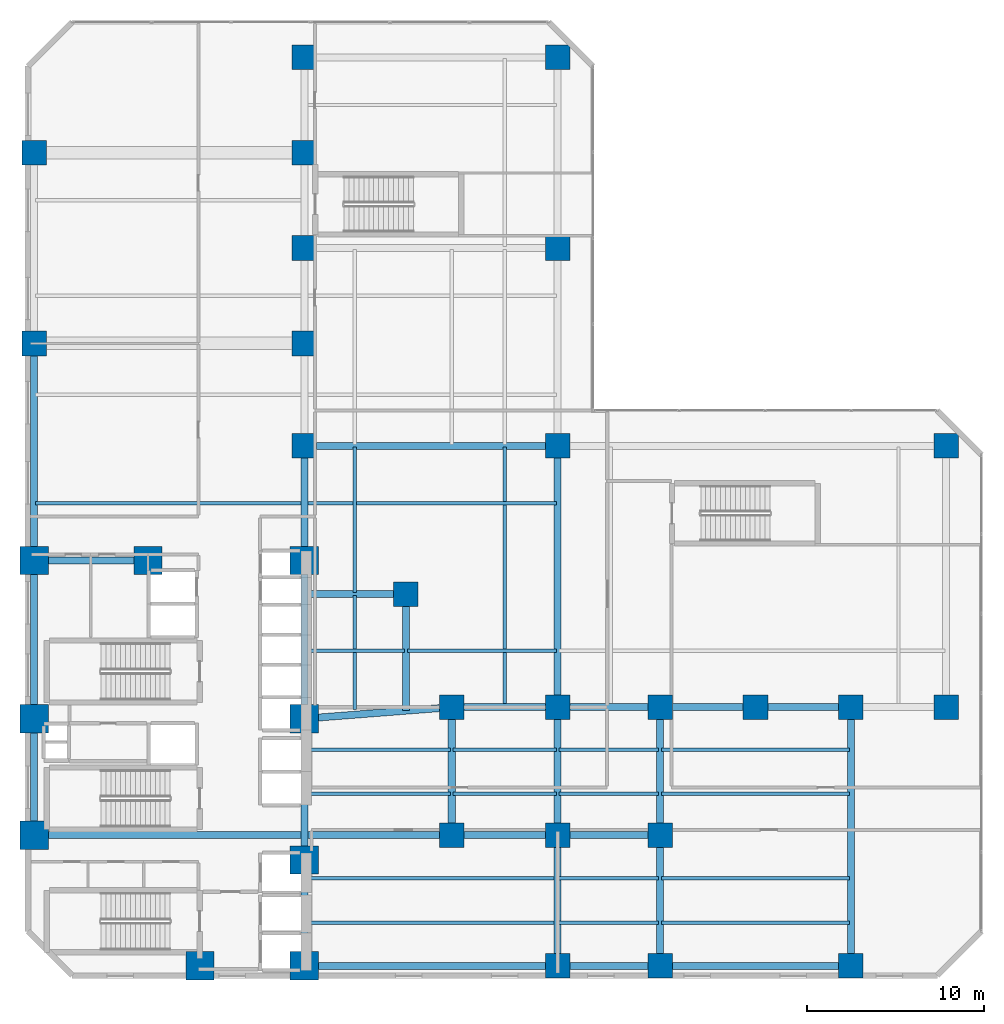
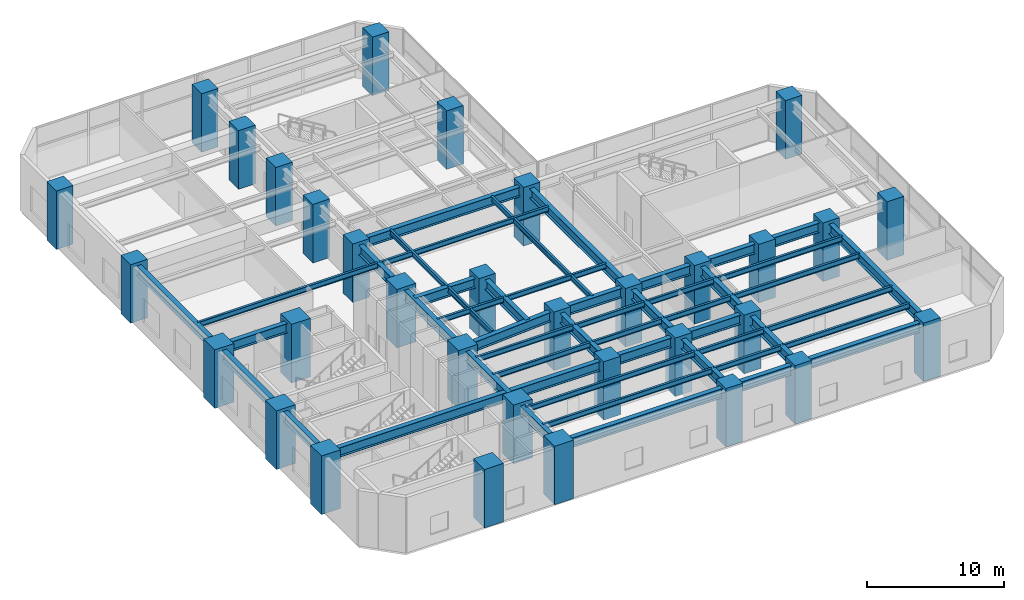
# One storey, part 1 of 22: 50 beams, 33 columns.
"""IFC4 building model written with IfcOpenShell, lengths in metres."""

from ifc_helpers import new_model, si_unit, direction, frame, origin, origin_2d, place, context, subcontext, project, spatial, rectangle, i_section, extrude, material, material_profile, profile_set, type_object, element, save


model = new_model("IFC4")

# Units and contexts
model_context = context("Model", 3, precision=1e-05, world=origin(), true_north=direction((0.0, 1.0)))
body_context = subcontext(model_context, "Body", "Model", "MODEL_VIEW")
ifc_project = project(units=[si_unit("LENGTHUNIT", "METRE"), si_unit("AREAUNIT", "SQUARE_METRE"), si_unit("VOLUMEUNIT", "CUBIC_METRE"), si_unit("PLANEANGLEUNIT", "RADIAN"), si_unit("MASSUNIT", "GRAM", prefix="KILO")], contexts=[model_context])

# Site, building, storey
site_placement = place(None, origin())
site = spatial("IfcSite", under=ifc_project, at=site_placement, CompositionType="ELEMENT")
building_placement = place(site_placement, origin())
building = spatial("IfcBuilding", under=site, at=building_placement, Name="Mawjaban Terraces University", CompositionType="ELEMENT")
storey_placement = place(building_placement, frame((0.0, 0.0, 5.199951171875)))
storey = spatial("IfcBuildingStorey", under=building, at=storey_placement, Name="L01", CompositionType="ELEMENT", Elevation=5.199951171875)

# Columns
ifc_material_1 = material(Name="Concrete C70/85", Category="concrete")
ifc_material_profile_1 = material_profile(ifc_material_1, rectangle(XDim=1.39990234375, YDim=1.39990234375, at=origin_2d()), Name="RC1400X1400")
ifc_profile_set_1 = profile_set([ifc_material_profile_1], Name="Concrete C70/85")
column_type_1 = type_object("IfcColumnType", Name="Col_RC1400X1400", PredefinedType="COLUMN", material=ifc_profile_set_1)
for number, where, z_axis, x_axis, name in (
    (1, (46.0, 7.949951171875, 0.0), (0.0, 0.0, 1.0), (1.0, 0.0, 0.0), "L01 Column TE-460-080"),
    (2, (46.0, 15.199951171875, 0.0), (0.0, 0.0, 1.0), (1.0, 0.0, 0.0), "L01 Column TE-460-152"),
    (3, (52.0, 0.550048828125, 0.0), (0.0, 0.0, 1.0), (1.0, 0.0, 0.0), "L01 Column TE-520-005"),
    (4, (52.0, 7.949951171875, 0.0), (0.0, 0.0, 1.0), (1.0, 0.0, 0.0), "L01 Column TE-520-080"),
    (5, (52.0, 15.199951171875, 0.0), (0.0, 0.0, 1.0), (1.0, 0.0, 0.0), "L01 Column TE-520-152"),
    (6, (57.800048828125, 0.550048828125, 0.0), (0.0, 0.0, 1.0), (1.0, 0.0, 0.0), "L01 Column TE-578-005"),
    (7, (57.800048828125, 7.949951171875, 0.0), (0.0, 0.0, 1.0), (1.0, 0.0, 0.0), "L01 Column TE-578-080"),
    (8, (57.800048828125, 15.199951171875, 0.0), (0.0, 0.0, 1.0), (1.0, 0.0, 0.0), "L01 Column TE-578-152"),
    (9, (63.199951171875, 15.199951171875, 0.0), (0.0, 0.0, 1.0), (1.0, 0.0, 0.0), "L01 Column TE-632-152"),
    (10, (68.60009765625, 0.550048828125, 0.0), (0.0, 0.0, 1.0), (1.0, 0.0, 0.0), "L01 Column TE-686-005"),
    (11, (68.60009765625, 15.199951171875, 0.0), (0.0, 0.0, 1.0), (1.0, 0.0, 0.0), "L01 Column TE-686-152"),
    (12, (74.0, 15.199951171875, 0.0), (0.0, 0.0, 1.0), (1.0, 0.0, 0.0), "L01 Column TE-740-152"),
    (13, (37.64990234375, 30.0, 0.0), (0.0, 0.0, 1.0), (1.0, 0.0, 0.0), "L01 Column TN-376-300"),
    (14, (22.35009765625, 35.800048828125, 0.0), (0.0, 0.0, 1.0), (1.0, 0.0, 0.0), "L01 Column TN-223-358"),
    (15, (37.64990234375, 35.800048828125, 0.0), (0.0, 0.0, 1.0), (1.0, 0.0, 0.0), "L01 Column TN-376-358"),
    (16, (37.64990234375, 41.199951171875, 0.0), (0.0, 0.0, 1.0), (1.0, 0.0, 0.0), "L01 Column TN-376-412"),
    (17, (22.35009765625, 46.60009765625, 0.0), (0.0, 0.0, 1.0), (1.0, 0.0, 0.0), "L01 Column TN-223-466"),
    (18, (37.64990234375, 46.60009765625, 0.0), (0.0, 0.0, 1.0), (1.0, 0.0, 0.0), "L01 Column TN-376-466"),
    (19, (37.64990234375, 52.0, 0.0), (0.0, 0.0, 1.0), (1.0, 0.0, 0.0), "L01 Column TN-376-520"),
    (20, (43.39990234375, 21.60009765625, 0.0), (0.0, 0.0, 1.0), (1.0, 0.0, 0.0), "L01 Column TS-434-216"),
    (21, (52.0, 30.0, 0.0), (0.0, 0.0, 1.0), (1.0, 0.0, 0.0), "L01 Column PM-520-300"),
    (22, (74.0, 30.0, 0.0), (0.0, 0.0, 1.0), (1.0, 0.0, 0.0), "L01 Column PM-740-300"),
    (23, (52.0, 41.199951171875, 0.0), (0.0, 0.0, 1.0), (1.0, 0.0, 0.0), "L01 Column PM-520-412"),
    (24, (52.0, 52.0, 0.0), (0.0, 0.0, 1.0), (1.0, 0.0, 0.0), "L01 Column PM-520-520"),
):
    element("IfcColumn", number, at=place(storey_placement, frame(where, z_axis=z_axis, x_axis=x_axis)), inside=storey, type_object=column_type_1, Name=name, PredefinedType="COLUMN", context=body_context, shape_type="SweptSolid", body=[
        extrude(rectangle(XDim=1.39990234375, YDim=1.39990234375, at=origin_2d()), origin(), (0.0, 0.0, 1.0), 5.199951171875),
    ])
ifc_material_profile_2 = material_profile(ifc_material_1, rectangle(XDim=1.60009765625, YDim=1.60009765625, at=origin_2d()), Name="RC1600X1600")
ifc_profile_set_2 = profile_set([ifc_material_profile_2], Name="Concrete C70/85")
column_type_2 = type_object("IfcColumnType", Name="Col_RC1600X1600", PredefinedType="COLUMN", material=ifc_profile_set_2)
for number, where, z_axis, x_axis, name in (
    (25, (31.75, 0.550048828125, 0.0), (0.0, 0.0, 1.0), (1.0, 0.0, 0.0), "L01 Column CC2"),
    (26, (37.64990234375, 0.550048828125, 0.0), (0.0, 0.0, 1.0), (1.0, 0.0, 0.0), "L01 Column CC3"),
    (27, (22.35009765625, 7.949951171875, 0.0), (0.0, 0.0, 1.0), (1.0, 0.0, 0.0), "L01 Column CC4"),
    (28, (37.64990234375, 6.550048828125, 0.0), (0.0, 0.0, 1.0), (1.0, 0.0, 0.0), "L01 Column CC5"),
    (29, (22.35009765625, 14.550048828125, 0.0), (0.0, 0.0, 1.0), (1.0, 0.0, 0.0), "L01 Column CC6"),
    (30, (37.64990234375, 14.550048828125, 0.0), (0.0, 0.0, 1.0), (1.0, 0.0, 0.0), "L01 Column CC7"),
    (31, (22.35009765625, 23.5, 0.0), (0.0, 0.0, 1.0), (1.0, 0.0, 0.0), "L01 Column CC8"),
    (32, (28.800048828125, 23.5, 0.0), (0.0, 0.0, 1.0), (1.0, 0.0, 0.0), "L01 Column CC9"),
    (33, (37.64990234375, 23.5, 0.0), (0.0, 0.0, 1.0), (1.0, 0.0, 0.0), "L01 Column CC10"),
):
    element("IfcColumn", number, at=place(storey_placement, frame(where, z_axis=z_axis, x_axis=x_axis)), inside=storey, type_object=column_type_2, Name=name, PredefinedType="COLUMN", context=body_context, shape_type="SweptSolid", body=[
        extrude(rectangle(XDim=1.60009765625, YDim=1.60009765625, at=origin_2d()), origin(), (0.0, 0.0, 1.0), 5.199951171875),
    ])

# Beams
ifc_material_2 = material(Name="Steel ASTM A572 Grade 50", Category="steel")
ifc_material_profile_3 = material_profile(ifc_material_2, i_section(OverallWidth=0.39990234375, OverallDepth=0.85498046875, WebThickness=0.018310546875, FlangeThickness=0.029296875, at=origin_2d()), Name="W840X299")
ifc_profile_set_3 = profile_set([ifc_material_profile_3], Name="Steel ASTM A572 Grade 50")
beam_type_1 = type_object("IfcBeamType", Name="Beam_B_W840X299", PredefinedType="BEAM", material=ifc_profile_set_3)
beam_1_placement = place(storey_placement, frame((38.449951171875, 0.550048828125, 4.491943359375), z_axis=(1.0, 0.0, 0.0), x_axis=(0.0, 1.0, 0.0)))
element("IfcBeam", 34, at=beam_1_placement, inside=storey, type_object=beam_type_1, Name="L01 Beam BM-L01-EW-01", PredefinedType="BEAM", context=body_context, shape_type="SweptSolid", body=[
    extrude(i_section(OverallWidth=0.39990234375, OverallDepth=0.85498046875, WebThickness=0.018310546875, FlangeThickness=0.029296875, at=origin_2d()), origin(), (0.0, 0.0, 1.0), 12.85009765625),
])
beam_2_placement = place(storey_placement, frame((52.699951171875, 0.550048828125, 4.491943359375), z_axis=(1.0, 0.0, 0.0), x_axis=(0.0, 1.0, 0.0)))
element("IfcBeam", 35, at=beam_2_placement, inside=storey, type_object=beam_type_1, Name="L01 Beam BM-L01-EW-02", PredefinedType="BEAM", context=body_context, shape_type="SweptSolid", body=[
    extrude(i_section(OverallWidth=0.39990234375, OverallDepth=0.85498046875, WebThickness=0.018310546875, FlangeThickness=0.029296875, at=origin_2d()), origin(), (0.0, 0.0, 1.0), 4.400146484375),
])
beam_3_placement = place(storey_placement, frame((58.5, 0.550048828125, 4.491943359375), z_axis=(1.0, 0.0, 0.0), x_axis=(0.0, 1.0, 0.0)))
element("IfcBeam", 36, at=beam_3_placement, inside=storey, type_object=beam_type_1, Name="L01 Beam BM-L01-EW-03", PredefinedType="BEAM", context=body_context, shape_type="SweptSolid", body=[
    extrude(i_section(OverallWidth=0.39990234375, OverallDepth=0.85498046875, WebThickness=0.018310546875, FlangeThickness=0.029296875, at=origin_2d()), origin(), (0.0, 0.0, 1.0), 9.39990234375),
])
beam_4_placement = place(storey_placement, frame((23.14990234375, 7.949951171875, 4.491943359375), z_axis=(1.0, 0.0, 0.0), x_axis=(0.0, 1.0, 0.0)))
element("IfcBeam", 37, at=beam_4_placement, inside=storey, type_object=beam_type_1, Name="L01 Beam BM-L01-EW-04", PredefinedType="BEAM", context=body_context, shape_type="SweptSolid", body=[
    extrude(i_section(OverallWidth=0.39990234375, OverallDepth=0.85498046875, WebThickness=0.018310546875, FlangeThickness=0.029296875, at=origin_2d()), origin(), (0.0, 0.0, 1.0), 22.150146484375),
])
beam_5_placement = place(storey_placement, frame((46.699951171875, 7.949951171875, 4.491943359375), z_axis=(1.0, 0.0, 0.0), x_axis=(0.0, 1.0, 0.0)))
element("IfcBeam", 38, at=beam_5_placement, inside=storey, type_object=beam_type_1, Name="L01 Beam BM-L01-EW-05", PredefinedType="BEAM", context=body_context, shape_type="SweptSolid", body=[
    extrude(i_section(OverallWidth=0.39990234375, OverallDepth=0.85498046875, WebThickness=0.018310546875, FlangeThickness=0.029296875, at=origin_2d()), origin(), (0.0, 0.0, 1.0), 4.60009765625),
])
beam_6_placement = place(storey_placement, frame((52.699951171875, 7.949951171875, 4.491943359375), z_axis=(1.0, 0.0, 0.0), x_axis=(0.0, 1.0, 0.0)))
element("IfcBeam", 39, at=beam_6_placement, inside=storey, type_object=beam_type_1, Name="L01 Beam BM-L01-EW-06", PredefinedType="BEAM", context=body_context, shape_type="SweptSolid", body=[
    extrude(i_section(OverallWidth=0.39990234375, OverallDepth=0.85498046875, WebThickness=0.018310546875, FlangeThickness=0.029296875, at=origin_2d()), origin(), (0.0, 0.0, 1.0), 4.400146484375),
])
beam_7_placement = place(storey_placement, frame((46.699951171875, 15.199951171875, 4.491943359375), z_axis=(1.0, 0.0, 0.0), x_axis=(0.0, 1.0, 0.0)))
element("IfcBeam", 40, at=beam_7_placement, inside=storey, type_object=beam_type_1, Name="L01 Beam BM-L01-EW-07", PredefinedType="BEAM", context=body_context, shape_type="SweptSolid", body=[
    extrude(i_section(OverallWidth=0.39990234375, OverallDepth=0.85498046875, WebThickness=0.018310546875, FlangeThickness=0.029296875, at=origin_2d()), origin(), (0.0, 0.0, 1.0), 4.60009765625),
])
beam_8_placement = place(storey_placement, frame((52.699951171875, 15.199951171875, 4.491943359375), z_axis=(1.0, 0.0, 0.0), x_axis=(0.0, 1.0, 0.0)))
element("IfcBeam", 41, at=beam_8_placement, inside=storey, type_object=beam_type_1, Name="L01 Beam BM-L01-EW-08", PredefinedType="BEAM", context=body_context, shape_type="SweptSolid", body=[
    extrude(i_section(OverallWidth=0.39990234375, OverallDepth=0.85498046875, WebThickness=0.018310546875, FlangeThickness=0.029296875, at=origin_2d()), origin(), (0.0, 0.0, 1.0), 4.400146484375),
])
for number, where, z_axis, x_axis, name in (
    (42, (58.5, 15.199951171875, 4.491943359375), (1.0, 0.0, 0.0), (0.0, 1.0, 0.0), "L01 Beam BM-L01-EW-09"),
    (43, (63.89990234375, 15.199951171875, 4.491943359375), (1.0, 0.0, 0.0), (0.0, 1.0, 0.0), "L01 Beam BM-L01-EW-10"),
):
    element("IfcBeam", number, at=place(storey_placement, frame(where, z_axis=z_axis, x_axis=x_axis)), inside=storey, type_object=beam_type_1, Name=name, PredefinedType="BEAM", context=body_context, shape_type="SweptSolid", body=[
        extrude(i_section(OverallWidth=0.39990234375, OverallDepth=0.85498046875, WebThickness=0.018310546875, FlangeThickness=0.029296875, at=origin_2d()), origin(), (0.0, 0.0, 1.0), 4.0),
    ])
beam_9_placement = place(storey_placement, frame((23.14990234375, 23.5, 4.491943359375), z_axis=(1.0, 0.0, 0.0), x_axis=(0.0, 1.0, 0.0)))
element("IfcBeam", 44, at=beam_9_placement, inside=storey, type_object=beam_type_1, Name="L01 Beam BM-L01-EW-12", PredefinedType="BEAM", context=body_context, shape_type="SweptSolid", body=[
    extrude(i_section(OverallWidth=0.39990234375, OverallDepth=0.85498046875, WebThickness=0.018310546875, FlangeThickness=0.029296875, at=origin_2d()), origin(), (0.0, 0.0, 1.0), 4.85009765625),
])
beam_10_placement = place(storey_placement, frame((38.35009765625, 30.0, 4.491943359375), z_axis=(1.0, 0.0, 0.0), x_axis=(0.0, 1.0, 0.0)))
element("IfcBeam", 45, at=beam_10_placement, inside=storey, type_object=beam_type_1, Name="L01 Beam BM-L01-EW-13", PredefinedType="BEAM", context=body_context, shape_type="SweptSolid", body=[
    extrude(i_section(OverallWidth=0.39990234375, OverallDepth=0.85498046875, WebThickness=0.018310546875, FlangeThickness=0.029296875, at=origin_2d()), origin(), (0.0, 0.0, 1.0), 12.949951171875),
])
beam_11_placement = place(storey_placement, frame((22.35009765625, 8.75, 4.491943359375), z_axis=(0.0, 1.0, 0.0), x_axis=(-1.0, 0.0, 0.0)))
element("IfcBeam", 46, at=beam_11_placement, inside=storey, type_object=beam_type_1, Name="L01 Beam BM-L01-NS-01", PredefinedType="BEAM", context=body_context, shape_type="SweptSolid", body=[
    extrude(i_section(OverallWidth=0.39990234375, OverallDepth=0.85498046875, WebThickness=0.018310546875, FlangeThickness=0.029296875, at=origin_2d()), origin(), (0.0, 0.0, 1.0), 5.0),
])
beam_12_placement = place(storey_placement, frame((22.35009765625, 15.35009765625, 4.491943359375), z_axis=(0.0, 1.0, 0.0), x_axis=(-1.0, 0.0, 0.0)))
element("IfcBeam", 47, at=beam_12_placement, inside=storey, type_object=beam_type_1, Name="L01 Beam BM-L01-NS-02", PredefinedType="BEAM", context=body_context, shape_type="SweptSolid", body=[
    extrude(i_section(OverallWidth=0.39990234375, OverallDepth=0.85498046875, WebThickness=0.018310546875, FlangeThickness=0.029296875, at=origin_2d()), origin(), (0.0, 0.0, 1.0), 7.349853515625),
])
beam_13_placement = place(storey_placement, frame((22.35009765625, 24.300048828125, 4.491943359375), z_axis=(0.0, 1.0, 0.0), x_axis=(-1.0, 0.0, 0.0)))
element("IfcBeam", 48, at=beam_13_placement, inside=storey, type_object=beam_type_1, Name="L01 Beam BM-L01-NS-03", PredefinedType="BEAM", context=body_context, shape_type="SweptSolid", body=[
    extrude(i_section(OverallWidth=0.39990234375, OverallDepth=0.85498046875, WebThickness=0.018310546875, FlangeThickness=0.029296875, at=origin_2d()), origin(), (0.0, 0.0, 1.0), 10.800048828125),
])
beam_14_placement = place(storey_placement, frame((37.64990234375, 1.35009765625, 4.491943359375), z_axis=(0.0, 1.0, 0.0), x_axis=(-1.0, 0.0, 0.0)))
element("IfcBeam", 49, at=beam_14_placement, inside=storey, type_object=beam_type_1, Name="L01 Beam BM-L01-NS-05", PredefinedType="BEAM", context=body_context, shape_type="SweptSolid", body=[
    extrude(i_section(OverallWidth=0.39990234375, OverallDepth=0.85498046875, WebThickness=0.018310546875, FlangeThickness=0.029296875, at=origin_2d()), origin(), (0.0, 0.0, 1.0), 4.39990234375),
])
beam_15_placement = place(storey_placement, frame((37.64990234375, 7.35009765625, 4.491943359375), z_axis=(0.0, 1.0, 0.0), x_axis=(-1.0, 0.0, 0.0)))
element("IfcBeam", 50, at=beam_15_placement, inside=storey, type_object=beam_type_1, Name="L01 Beam BM-L01-NS-06", PredefinedType="BEAM", context=body_context, shape_type="SweptSolid", body=[
    extrude(i_section(OverallWidth=0.39990234375, OverallDepth=0.85498046875, WebThickness=0.018310546875, FlangeThickness=0.029296875, at=origin_2d()), origin(), (0.0, 0.0, 1.0), 6.39990234375),
])
beam_16_placement = place(storey_placement, frame((37.64990234375, 15.35009765625, 4.491943359375), z_axis=(0.0, 1.0, 0.0), x_axis=(-1.0, 0.0, 0.0)))
element("IfcBeam", 51, at=beam_16_placement, inside=storey, type_object=beam_type_1, Name="L01 Beam BM-L01-NS-07", PredefinedType="BEAM", context=body_context, shape_type="SweptSolid", body=[
    extrude(i_section(OverallWidth=0.39990234375, OverallDepth=0.85498046875, WebThickness=0.018310546875, FlangeThickness=0.029296875, at=origin_2d()), origin(), (0.0, 0.0, 1.0), 7.349853515625),
])
beam_17_placement = place(storey_placement, frame((37.64990234375, 24.300048828125, 4.491943359375), z_axis=(0.0, 1.0, 0.0), x_axis=(-1.0, 0.0, 0.0)))
element("IfcBeam", 52, at=beam_17_placement, inside=storey, type_object=beam_type_1, Name="L01 Beam BM-L01-NS-08", PredefinedType="BEAM", context=body_context, shape_type="SweptSolid", body=[
    extrude(i_section(OverallWidth=0.39990234375, OverallDepth=0.85498046875, WebThickness=0.018310546875, FlangeThickness=0.029296875, at=origin_2d()), origin(), (0.0, 0.0, 1.0), 5.0),
])
beam_18_placement = place(storey_placement, frame((46.0, 8.64990234375, 4.491943359375), z_axis=(0.0, 1.0, 0.0), x_axis=(-1.0, 0.0, 0.0)))
element("IfcBeam", 53, at=beam_18_placement, inside=storey, type_object=beam_type_1, Name="L01 Beam BM-L01-NS-13", PredefinedType="BEAM", context=body_context, shape_type="SweptSolid", body=[
    extrude(i_section(OverallWidth=0.39990234375, OverallDepth=0.85498046875, WebThickness=0.018310546875, FlangeThickness=0.029296875, at=origin_2d()), origin(), (0.0, 0.0, 1.0), 5.85009765625),
])
beam_19_placement = place(storey_placement, frame((52.0, 1.25, 4.491943359375), z_axis=(0.0, 1.0, 0.0), x_axis=(-1.0, 0.0, 0.0)))
element("IfcBeam", 54, at=beam_19_placement, inside=storey, type_object=beam_type_1, Name="L01 Beam BM-L01-NS-14", PredefinedType="BEAM", context=body_context, shape_type="SweptSolid", body=[
    extrude(i_section(OverallWidth=0.39990234375, OverallDepth=0.85498046875, WebThickness=0.018310546875, FlangeThickness=0.029296875, at=origin_2d()), origin(), (0.0, 0.0, 1.0), 6.0),
])
beam_20_placement = place(storey_placement, frame((52.0, 8.64990234375, 4.491943359375), z_axis=(0.0, 1.0, 0.0), x_axis=(-1.0, 0.0, 0.0)))
element("IfcBeam", 55, at=beam_20_placement, inside=storey, type_object=beam_type_1, Name="L01 Beam BM-L01-NS-15", PredefinedType="BEAM", context=body_context, shape_type="SweptSolid", body=[
    extrude(i_section(OverallWidth=0.39990234375, OverallDepth=0.85498046875, WebThickness=0.018310546875, FlangeThickness=0.029296875, at=origin_2d()), origin(), (0.0, 0.0, 1.0), 5.85009765625),
])
beam_21_placement = place(storey_placement, frame((52.0, 15.89990234375, 4.491943359375), z_axis=(0.0, 1.0, 0.0), x_axis=(-1.0, 0.0, 0.0)))
element("IfcBeam", 56, at=beam_21_placement, inside=storey, type_object=beam_type_1, Name="L01 Beam BM-L01-NS-16", PredefinedType="BEAM", context=body_context, shape_type="SweptSolid", body=[
    extrude(i_section(OverallWidth=0.39990234375, OverallDepth=0.85498046875, WebThickness=0.018310546875, FlangeThickness=0.029296875, at=origin_2d()), origin(), (0.0, 0.0, 1.0), 13.400146484375),
])
beam_22_placement = place(storey_placement, frame((57.800048828125, 1.25, 4.491943359375), z_axis=(0.0, 1.0, 0.0), x_axis=(-1.0, 0.0, 0.0)))
element("IfcBeam", 57, at=beam_22_placement, inside=storey, type_object=beam_type_1, Name="L01 Beam BM-L01-NS-19", PredefinedType="BEAM", context=body_context, shape_type="SweptSolid", body=[
    extrude(i_section(OverallWidth=0.39990234375, OverallDepth=0.85498046875, WebThickness=0.018310546875, FlangeThickness=0.029296875, at=origin_2d()), origin(), (0.0, 0.0, 1.0), 6.0),
])
beam_23_placement = place(storey_placement, frame((57.800048828125, 8.64990234375, 4.491943359375), z_axis=(0.0, 1.0, 0.0), x_axis=(-1.0, 0.0, 0.0)))
element("IfcBeam", 58, at=beam_23_placement, inside=storey, type_object=beam_type_1, Name="L01 Beam BM-L01-NS-20", PredefinedType="BEAM", context=body_context, shape_type="SweptSolid", body=[
    extrude(i_section(OverallWidth=0.39990234375, OverallDepth=0.85498046875, WebThickness=0.018310546875, FlangeThickness=0.029296875, at=origin_2d()), origin(), (0.0, 0.0, 1.0), 5.85009765625),
])
beam_24_placement = place(storey_placement, frame((68.60009765625, 1.25, 4.491943359375), z_axis=(0.0, 1.0, 0.0), x_axis=(-1.0, 0.0, 0.0)))
element("IfcBeam", 59, at=beam_24_placement, inside=storey, type_object=beam_type_1, Name="L01 Beam BM-L01-NS-21", PredefinedType="BEAM", context=body_context, shape_type="SweptSolid", body=[
    extrude(i_section(OverallWidth=0.39990234375, OverallDepth=0.85498046875, WebThickness=0.018310546875, FlangeThickness=0.029296875, at=origin_2d()), origin(), (0.0, 0.0, 1.0), 13.25),
])
beam_25_placement = place(storey_placement, frame((38.447998046875, 14.612060546875, 4.491943359375), z_axis=(0.996979437792, 0.077665955348, 0.0), x_axis=(-0.077665955348, 0.996979437792, 0.0)))
element("IfcBeam", 60, at=beam_25_placement, inside=storey, type_object=beam_type_1, Name="L01 Beam BM-L01-CTIE", PredefinedType="BEAM", context=body_context, shape_type="SweptSolid", body=[
    extrude(i_section(OverallWidth=0.39990234375, OverallDepth=0.85498046875, WebThickness=0.018310546875, FlangeThickness=0.029296875, at=origin_2d()), origin(), (0.0, 0.0, 1.0), 6.874755859375),
])
beam_26_placement = place(storey_placement, frame((37.679931640625, 21.60009765625, 4.491943359375), z_axis=(1.0, 0.0, 0.0), x_axis=(0.0, 1.0, 0.0)))
element("IfcBeam", 61, at=beam_26_placement, inside=storey, type_object=beam_type_1, Name="L01 Spur Tie Girder West", PredefinedType="BEAM", context=body_context, shape_type="SweptSolid", body=[
    extrude(i_section(OverallWidth=0.39990234375, OverallDepth=0.85498046875, WebThickness=0.018310546875, FlangeThickness=0.029296875, at=origin_2d()), origin(), (0.0, 0.0, 1.0), 5.02001953125),
])
beam_27_placement = place(storey_placement, frame((43.39990234375, 15.0, 4.491943359375), z_axis=(0.0, 1.0, 0.0), x_axis=(-1.0, 0.0, 0.0)))
element("IfcBeam", 62, at=beam_27_placement, inside=storey, type_object=beam_type_1, Name="L01 Spur Tie Girder South", PredefinedType="BEAM", context=body_context, shape_type="SweptSolid", body=[
    extrude(i_section(OverallWidth=0.39990234375, OverallDepth=0.85498046875, WebThickness=0.018310546875, FlangeThickness=0.029296875, at=origin_2d()), origin(), (0.0, 0.0, 1.0), 5.89990234375),
])
ifc_material_profile_4 = material_profile(ifc_material_2, i_section(OverallWidth=0.194091796875, OverallDepth=0.468994140625, WebThickness=0.011474609375, FlangeThickness=0.0205078125, at=origin_2d()), Name="W460X106")
ifc_profile_set_4 = profile_set([ifc_material_profile_4], Name="Steel ASTM A572 Grade 50")
beam_type_2 = type_object("IfcBeamType", Name="Beam_J_W460X106", PredefinedType="JOIST", material=ifc_profile_set_4)
beam_28_placement = place(storey_placement, frame((37.72998046875, 3.0, 4.68505859375), z_axis=(1.0, 0.0, 0.0), x_axis=(0.0, 1.0, 0.0)))
element("IfcBeam", 63, at=beam_28_placement, inside=storey, type_object=beam_type_2, Name="L01 Composite Joist JST-L01-01", PredefinedType="JOIST", context=body_context, shape_type="SweptSolid", body=[
    extrude(i_section(OverallWidth=0.194091796875, OverallDepth=0.468994140625, WebThickness=0.011474609375, FlangeThickness=0.0205078125, at=origin_2d()), origin(), (0.0, 0.0, 1.0), 14.18994140625),
])
beam_29_placement = place(storey_placement, frame((52.080078125, 3.0, 4.68505859375), z_axis=(1.0, 0.0, 0.0), x_axis=(0.0, 1.0, 0.0)))
element("IfcBeam", 64, at=beam_29_placement, inside=storey, type_object=beam_type_2, Name="L01 Composite Joist JST-L01-02", PredefinedType="JOIST", context=body_context, shape_type="SweptSolid", body=[
    extrude(i_section(OverallWidth=0.194091796875, OverallDepth=0.468994140625, WebThickness=0.011474609375, FlangeThickness=0.0205078125, at=origin_2d()), origin(), (0.0, 0.0, 1.0), 5.639892578125),
])
beam_30_placement = place(storey_placement, frame((57.8798828125, 3.0, 4.68505859375), z_axis=(1.0, 0.0, 0.0), x_axis=(0.0, 1.0, 0.0)))
element("IfcBeam", 65, at=beam_30_placement, inside=storey, type_object=beam_type_2, Name="L01 Composite Joist JST-L01-03", PredefinedType="JOIST", context=body_context, shape_type="SweptSolid", body=[
    extrude(i_section(OverallWidth=0.194091796875, OverallDepth=0.468994140625, WebThickness=0.011474609375, FlangeThickness=0.0205078125, at=origin_2d()), origin(), (0.0, 0.0, 1.0), 10.64013671875),
])
beam_31_placement = place(storey_placement, frame((37.72998046875, 5.5, 4.68505859375), z_axis=(1.0, 0.0, 0.0), x_axis=(0.0, 1.0, 0.0)))
element("IfcBeam", 66, at=beam_31_placement, inside=storey, type_object=beam_type_2, Name="L01 Composite Joist JST-L01-04", PredefinedType="JOIST", context=body_context, shape_type="SweptSolid", body=[
    extrude(i_section(OverallWidth=0.194091796875, OverallDepth=0.468994140625, WebThickness=0.011474609375, FlangeThickness=0.0205078125, at=origin_2d()), origin(), (0.0, 0.0, 1.0), 14.18994140625),
])
beam_32_placement = place(storey_placement, frame((52.080078125, 5.5, 4.68505859375), z_axis=(1.0, 0.0, 0.0), x_axis=(0.0, 1.0, 0.0)))
element("IfcBeam", 67, at=beam_32_placement, inside=storey, type_object=beam_type_2, Name="L01 Composite Joist JST-L01-05", PredefinedType="JOIST", context=body_context, shape_type="SweptSolid", body=[
    extrude(i_section(OverallWidth=0.194091796875, OverallDepth=0.468994140625, WebThickness=0.011474609375, FlangeThickness=0.0205078125, at=origin_2d()), origin(), (0.0, 0.0, 1.0), 5.639892578125),
])
beam_33_placement = place(storey_placement, frame((57.8798828125, 5.5, 4.68505859375), z_axis=(1.0, 0.0, 0.0), x_axis=(0.0, 1.0, 0.0)))
element("IfcBeam", 68, at=beam_33_placement, inside=storey, type_object=beam_type_2, Name="L01 Composite Joist JST-L01-06", PredefinedType="JOIST", context=body_context, shape_type="SweptSolid", body=[
    extrude(i_section(OverallWidth=0.194091796875, OverallDepth=0.468994140625, WebThickness=0.011474609375, FlangeThickness=0.0205078125, at=origin_2d()), origin(), (0.0, 0.0, 1.0), 10.64013671875),
])
beam_34_placement = place(storey_placement, frame((37.72998046875, 10.300048828125, 4.68505859375), z_axis=(1.0, 0.0, 0.0), x_axis=(0.0, 1.0, 0.0)))
element("IfcBeam", 69, at=beam_34_placement, inside=storey, type_object=beam_type_2, Name="L01 Composite Joist JST-L01-07", PredefinedType="JOIST", context=body_context, shape_type="SweptSolid", body=[
    extrude(i_section(OverallWidth=0.194091796875, OverallDepth=0.468994140625, WebThickness=0.011474609375, FlangeThickness=0.0205078125, at=origin_2d()), origin(), (0.0, 0.0, 1.0), 8.18994140625),
])
beam_35_placement = place(storey_placement, frame((46.080078125, 10.300048828125, 4.68505859375), z_axis=(1.0, 0.0, 0.0), x_axis=(0.0, 1.0, 0.0)))
element("IfcBeam", 70, at=beam_35_placement, inside=storey, type_object=beam_type_2, Name="L01 Composite Joist JST-L01-08", PredefinedType="JOIST", context=body_context, shape_type="SweptSolid", body=[
    extrude(i_section(OverallWidth=0.194091796875, OverallDepth=0.468994140625, WebThickness=0.011474609375, FlangeThickness=0.0205078125, at=origin_2d()), origin(), (0.0, 0.0, 1.0), 5.83984375),
])
beam_36_placement = place(storey_placement, frame((52.080078125, 10.300048828125, 4.68505859375), z_axis=(1.0, 0.0, 0.0), x_axis=(0.0, 1.0, 0.0)))
element("IfcBeam", 71, at=beam_36_placement, inside=storey, type_object=beam_type_2, Name="L01 Composite Joist JST-L01-09", PredefinedType="JOIST", context=body_context, shape_type="SweptSolid", body=[
    extrude(i_section(OverallWidth=0.194091796875, OverallDepth=0.468994140625, WebThickness=0.011474609375, FlangeThickness=0.0205078125, at=origin_2d()), origin(), (0.0, 0.0, 1.0), 5.639892578125),
])
beam_37_placement = place(storey_placement, frame((57.8798828125, 10.300048828125, 4.68505859375), z_axis=(1.0, 0.0, 0.0), x_axis=(0.0, 1.0, 0.0)))
element("IfcBeam", 72, at=beam_37_placement, inside=storey, type_object=beam_type_2, Name="L01 Composite Joist JST-L01-10", PredefinedType="JOIST", context=body_context, shape_type="SweptSolid", body=[
    extrude(i_section(OverallWidth=0.194091796875, OverallDepth=0.468994140625, WebThickness=0.011474609375, FlangeThickness=0.0205078125, at=origin_2d()), origin(), (0.0, 0.0, 1.0), 10.64013671875),
])
beam_38_placement = place(storey_placement, frame((37.72998046875, 12.800048828125, 4.68505859375), z_axis=(1.0, 0.0, 0.0), x_axis=(0.0, 1.0, 0.0)))
element("IfcBeam", 73, at=beam_38_placement, inside=storey, type_object=beam_type_2, Name="L01 Composite Joist JST-L01-11", PredefinedType="JOIST", context=body_context, shape_type="SweptSolid", body=[
    extrude(i_section(OverallWidth=0.194091796875, OverallDepth=0.468994140625, WebThickness=0.011474609375, FlangeThickness=0.0205078125, at=origin_2d()), origin(), (0.0, 0.0, 1.0), 8.18994140625),
])
beam_39_placement = place(storey_placement, frame((46.080078125, 12.800048828125, 4.68505859375), z_axis=(1.0, 0.0, 0.0), x_axis=(0.0, 1.0, 0.0)))
element("IfcBeam", 74, at=beam_39_placement, inside=storey, type_object=beam_type_2, Name="L01 Composite Joist JST-L01-12", PredefinedType="JOIST", context=body_context, shape_type="SweptSolid", body=[
    extrude(i_section(OverallWidth=0.194091796875, OverallDepth=0.468994140625, WebThickness=0.011474609375, FlangeThickness=0.0205078125, at=origin_2d()), origin(), (0.0, 0.0, 1.0), 5.83984375),
])
beam_40_placement = place(storey_placement, frame((52.080078125, 12.800048828125, 4.68505859375), z_axis=(1.0, 0.0, 0.0), x_axis=(0.0, 1.0, 0.0)))
element("IfcBeam", 75, at=beam_40_placement, inside=storey, type_object=beam_type_2, Name="L01 Composite Joist JST-L01-13", PredefinedType="JOIST", context=body_context, shape_type="SweptSolid", body=[
    extrude(i_section(OverallWidth=0.194091796875, OverallDepth=0.468994140625, WebThickness=0.011474609375, FlangeThickness=0.0205078125, at=origin_2d()), origin(), (0.0, 0.0, 1.0), 5.639892578125),
])
beam_41_placement = place(storey_placement, frame((57.8798828125, 12.800048828125, 4.68505859375), z_axis=(1.0, 0.0, 0.0), x_axis=(0.0, 1.0, 0.0)))
element("IfcBeam", 76, at=beam_41_placement, inside=storey, type_object=beam_type_2, Name="L01 Composite Joist JST-L01-14", PredefinedType="JOIST", context=body_context, shape_type="SweptSolid", body=[
    extrude(i_section(OverallWidth=0.194091796875, OverallDepth=0.468994140625, WebThickness=0.011474609375, FlangeThickness=0.0205078125, at=origin_2d()), origin(), (0.0, 0.0, 1.0), 10.64013671875),
])
beam_42_placement = place(storey_placement, frame((37.72998046875, 18.39990234375, 4.68505859375), z_axis=(1.0, 0.0, 0.0), x_axis=(0.0, 1.0, 0.0)))
element("IfcBeam", 77, at=beam_42_placement, inside=storey, type_object=beam_type_2, Name="L01 Composite Joist JST-L01-15", PredefinedType="JOIST", context=body_context, shape_type="SweptSolid", body=[
    extrude(i_section(OverallWidth=0.194091796875, OverallDepth=0.468994140625, WebThickness=0.011474609375, FlangeThickness=0.0205078125, at=origin_2d()), origin(), (0.0, 0.0, 1.0), 5.590087890625),
])
beam_43_placement = place(storey_placement, frame((43.47998046875, 18.39990234375, 4.68505859375), z_axis=(1.0, 0.0, 0.0), x_axis=(0.0, 1.0, 0.0)))
element("IfcBeam", 78, at=beam_43_placement, inside=storey, type_object=beam_type_2, Name="L01 Composite Joist JST-L01-16", PredefinedType="JOIST", context=body_context, shape_type="SweptSolid", body=[
    extrude(i_section(OverallWidth=0.194091796875, OverallDepth=0.468994140625, WebThickness=0.011474609375, FlangeThickness=0.0205078125, at=origin_2d()), origin(), (0.0, 0.0, 1.0), 8.43994140625),
])
beam_44_placement = place(storey_placement, frame((22.429931640625, 26.75, 4.68505859375), z_axis=(1.0, 0.0, 0.0), x_axis=(0.0, 1.0, 0.0)))
element("IfcBeam", 79, at=beam_44_placement, inside=storey, type_object=beam_type_2, Name="L01 Composite Joist JST-L01-18", PredefinedType="JOIST", context=body_context, shape_type="SweptSolid", body=[
    extrude(i_section(OverallWidth=0.194091796875, OverallDepth=0.468994140625, WebThickness=0.011474609375, FlangeThickness=0.0205078125, at=origin_2d()), origin(), (0.0, 0.0, 1.0), 15.14013671875),
])
beam_45_placement = place(storey_placement, frame((37.72998046875, 26.75, 4.68505859375), z_axis=(1.0, 0.0, 0.0), x_axis=(0.0, 1.0, 0.0)))
element("IfcBeam", 80, at=beam_45_placement, inside=storey, type_object=beam_type_2, Name="L01 Composite Joist JST-L01-19", PredefinedType="JOIST", context=body_context, shape_type="SweptSolid", body=[
    extrude(i_section(OverallWidth=0.194091796875, OverallDepth=0.468994140625, WebThickness=0.011474609375, FlangeThickness=0.0205078125, at=origin_2d()), origin(), (0.0, 0.0, 1.0), 14.18994140625),
])
beam_46_placement = place(storey_placement, frame((40.5, 15.080078125, 4.68505859375), z_axis=(0.0, 1.0, 0.0), x_axis=(-1.0, 0.0, 0.0)))
element("IfcBeam", 81, at=beam_46_placement, inside=storey, type_object=beam_type_2, Name="L01 Composite Joist JST-L01-NS-26", PredefinedType="JOIST", context=body_context, shape_type="SweptSolid", body=[
    extrude(i_section(OverallWidth=0.194091796875, OverallDepth=0.468994140625, WebThickness=0.011474609375, FlangeThickness=0.0205078125, at=origin_2d()), origin(), (0.0, 0.0, 1.0), 6.43994140625),
])
beam_47_placement = place(storey_placement, frame((40.5, 21.679931640625, 4.68505859375), z_axis=(0.0, 1.0, 0.0), x_axis=(-1.0, 0.0, 0.0)))
element("IfcBeam", 82, at=beam_47_placement, inside=storey, type_object=beam_type_2, Name="L01 Composite Joist JST-L01-NS-27", PredefinedType="JOIST", context=body_context, shape_type="SweptSolid", body=[
    extrude(i_section(OverallWidth=0.194091796875, OverallDepth=0.468994140625, WebThickness=0.011474609375, FlangeThickness=0.0205078125, at=origin_2d()), origin(), (0.0, 0.0, 1.0), 8.239990234375),
])
beam_48_placement = place(storey_placement, frame((49.0, 15.280029296875, 4.68505859375), z_axis=(0.0, 1.0, 0.0), x_axis=(-1.0, 0.0, 0.0)))
element("IfcBeam", 83, at=beam_48_placement, inside=storey, type_object=beam_type_2, Name="L01 Composite Joist JST-L01-NS-30", PredefinedType="JOIST", context=body_context, shape_type="SweptSolid", body=[
    extrude(i_section(OverallWidth=0.194091796875, OverallDepth=0.468994140625, WebThickness=0.011474609375, FlangeThickness=0.0205078125, at=origin_2d()), origin(), (0.0, 0.0, 1.0), 14.639892578125),
])

save(model, "model.ifc")
